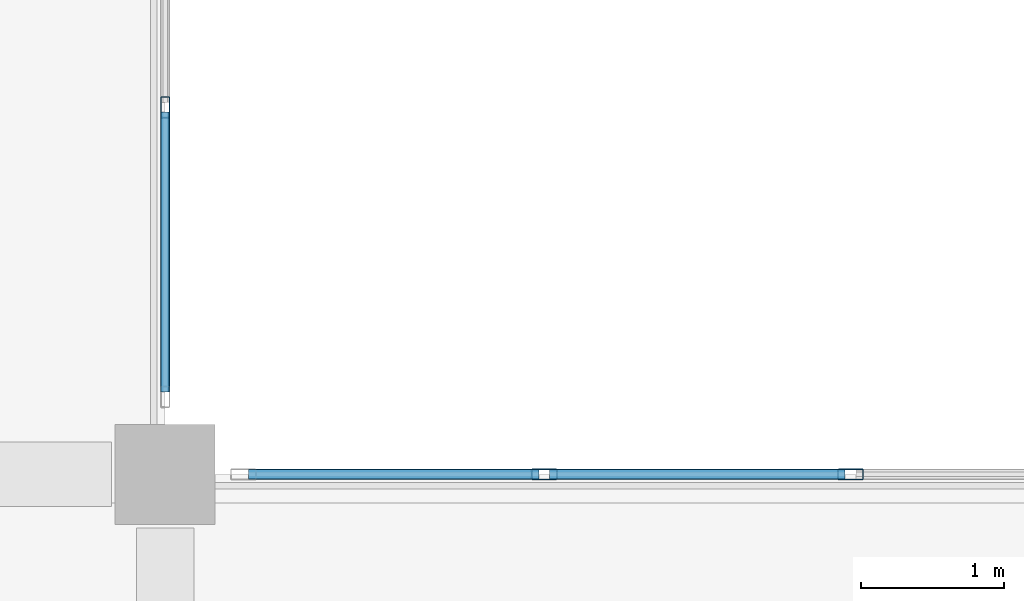
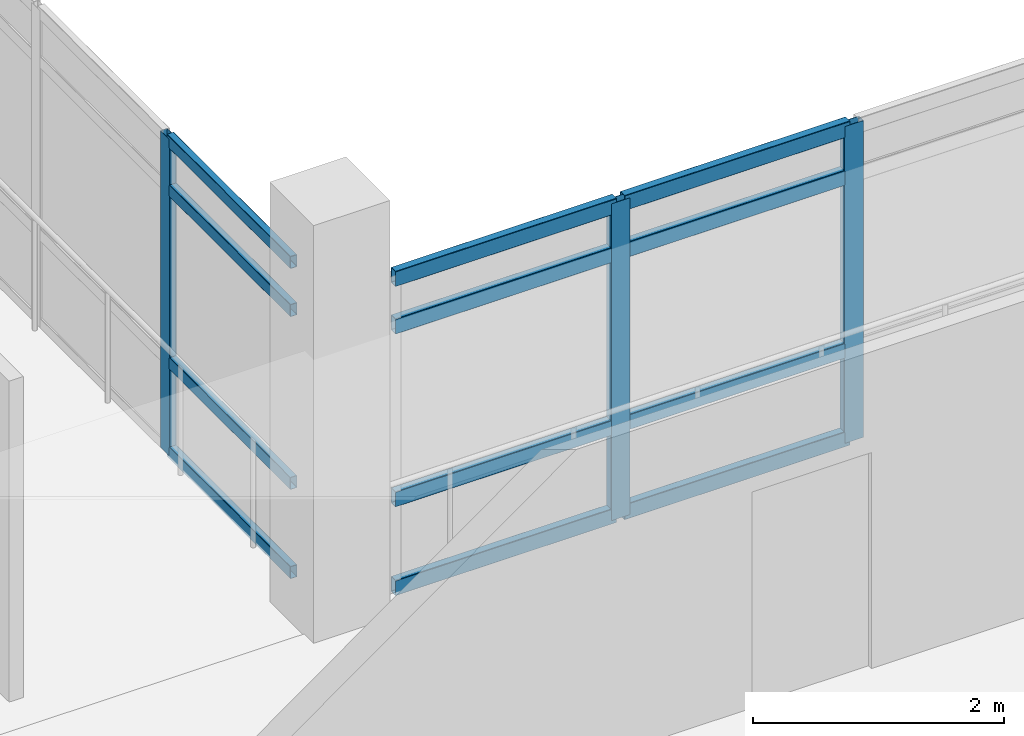
# One storey, part 37 of 134: 15 members, 2 elements without a shape of their own.
"""IFC4 building model written with IfcOpenShell, lengths in metres."""

from ifc_helpers import new_model, si_unit, direction, frame, origin, origin_2d, place, context, subcontext, project, spatial, hollow_rectangle, extrude, material, layer, layer_set, material_profile, profile_set, type_object, element, aggregate, save


model = new_model("IFC4")

# Units and contexts
model_context = context("Model", 3, precision=1e-05, world=origin(), true_north=direction((0.0, 1.0)))
body_context = subcontext(model_context, "Body", "Model", "MODEL_VIEW")
ifc_project = project(units=[si_unit("LENGTHUNIT", "METRE"), si_unit("AREAUNIT", "SQUARE_METRE"), si_unit("VOLUMEUNIT", "CUBIC_METRE"), si_unit("PLANEANGLEUNIT", "RADIAN"), si_unit("MASSUNIT", "GRAM", prefix="KILO")], contexts=[model_context])

# Site, building, storey
site_placement = place(None, origin())
site = spatial("IfcSite", under=ifc_project, at=site_placement, CompositionType="ELEMENT")
building_placement = place(site_placement, origin())
building = spatial("IfcBuilding", under=site, at=building_placement, Name="Asteropetra Specialist Clinic", CompositionType="ELEMENT")
storey_placement = place(building_placement, frame((0.0, 0.0, 8.5)))
storey = spatial("IfcBuildingStorey", under=building, at=storey_placement, Name="L02", CompositionType="ELEMENT", Elevation=8.5)

# Curtain wall, member
ifc_material_1 = material(Name="Aluminium and low-E glass", Category="aluminium")
ifc_layer_1 = layer(ifc_material_1, 0.179931640625)
ifc_layer_set_1 = layer_set([ifc_layer_1], Name="Aluminium and low-E glass")
curtain_wall_type_1 = type_object("IfcCurtainWallType", Name="CW-SYS-04", PredefinedType="USERDEFINED", material=ifc_layer_set_1)
curtain_wall_1_placement = place(storey_placement, origin())
curtain_wall_1 = element("IfcCurtainWall", 1, at=curtain_wall_1_placement, inside=storey, type_object=curtain_wall_type_1, Name="Curtain Wall CW-037", ObjectType="UNITISED CURTAIN WALL", PredefinedType="USERDEFINED")
ifc_material_2 = material(Name="Aluminium 6063-T6", Category="aluminium")
ifc_material_profile_1 = material_profile(ifc_material_2, hollow_rectangle(XDim=0.06494140625, YDim=0.14990234375, WallThickness=0.00390625, InnerFilletRadius=0.00390625, OuterFilletRadius=0.008056640625, at=origin_2d()), Name="MUL 150x65x4.0")
ifc_profile_set_1 = profile_set([ifc_material_profile_1], Name="Aluminium 6063-T6")
member_type_1 = type_object("IfcMemberType", Name="CWM-150x65", PredefinedType="MULLION", material=ifc_profile_set_1)
member_1_placement = place(storey_placement, frame((9.60009765625, 79.3701171875, 0.0), z_axis=(0.0, 0.0, 1.0), x_axis=(1.0, 0.0, 0.0)))
member_1 = element("IfcMember", 2, at=member_1_placement, type_object=member_type_1, Name="CW-037 mullion 3", PredefinedType="MULLION", context=body_context, shape_type="SweptSolid", body=[
    extrude(hollow_rectangle(XDim=0.06494140625, YDim=0.14990234375, WallThickness=0.00390625, InnerFilletRadius=0.00390625, OuterFilletRadius=0.008056640625, at=origin_2d()), origin(), (0.0, 0.0, 1.0), 3.080078125),
])

# Curtain wall, members
ifc_material_3 = material(Name="Aluminium and low-E glass", Category="aluminium")
ifc_layer_2 = layer(ifc_material_3, 0.14990234375)
ifc_layer_set_2 = layer_set([ifc_layer_2], Name="Aluminium and low-E glass")
curtain_wall_type_2 = type_object("IfcCurtainWallType", Name="CW-SYS-02", PredefinedType="USERDEFINED", material=ifc_layer_set_2)
curtain_wall_2_placement = place(storey_placement, origin())
curtain_wall_2 = element("IfcCurtainWall", 3, at=curtain_wall_2_placement, inside=storey, type_object=curtain_wall_type_2, Name="Curtain Wall CW-033", ObjectType="UNITISED CURTAIN WALL", PredefinedType="USERDEFINED")
ifc_material_4 = material(Name="Aluminium 6063-T6", Category="aluminium")
ifc_material_profile_2 = material_profile(ifc_material_4, hollow_rectangle(XDim=0.074951171875, YDim=0.179931640625, WallThickness=0.00390625, InnerFilletRadius=0.00390625, OuterFilletRadius=0.008056640625, at=origin_2d()), Name="MUL 180x75x4.0")
ifc_profile_set_2 = profile_set([ifc_material_profile_2], Name="Aluminium 6063-T6")
member_type_2 = type_object("IfcMemberType", Name="CWM-180x75", PredefinedType="MULLION", material=ifc_profile_set_2)
member_2_placement = place(storey_placement, frame((12.2548828125, 76.800048828125, 0.0), z_axis=(0.0, 0.0, 1.0), x_axis=(0.0, 1.0, 0.0)))
member_2 = element("IfcMember", 4, at=member_2_placement, type_object=member_type_2, Name="CW-033 mullion 2", PredefinedType="MULLION", context=body_context, shape_type="SweptSolid", body=[
    extrude(hollow_rectangle(XDim=0.074951171875, YDim=0.179931640625, WallThickness=0.00390625, InnerFilletRadius=0.00390625, OuterFilletRadius=0.008056640625, at=origin_2d()), origin(), (0.0, 0.0, 1.0), 3.080078125),
])
member_3_placement = place(storey_placement, frame((14.39990234375, 76.800048828125, 0.0), z_axis=(0.0, 0.0, 1.0), x_axis=(0.0, 1.0, 0.0)))
member_3 = element("IfcMember", 5, at=member_3_placement, type_object=member_type_2, Name="CW-033 mullion 3", PredefinedType="MULLION", context=body_context, shape_type="SweptSolid", body=[
    extrude(hollow_rectangle(XDim=0.074951171875, YDim=0.179931640625, WallThickness=0.00390625, InnerFilletRadius=0.00390625, OuterFilletRadius=0.008056640625, at=origin_2d()), origin(), (0.0, 0.0, 1.0), 3.080078125),
])

# Member
ifc_material_5 = material(Name="Aluminium 6063-T6", Category="aluminium")
ifc_material_profile_3 = material_profile(ifc_material_5, hollow_rectangle(XDim=0.06494140625, YDim=0.1201171875, WallThickness=0.00390625, InnerFilletRadius=0.00390625, OuterFilletRadius=0.008056640625, at=origin_2d()), Name="TRN 120x65x4.0")
ifc_profile_set_3 = profile_set([ifc_material_profile_3], Name="Aluminium 6063-T6")
member_type_3 = type_object("IfcMemberType", Name="CWT-120x65", PredefinedType="USERDEFINED", material=ifc_profile_set_3)
member_4_placement = place(storey_placement, frame((9.60009765625, 79.33740234375, 0.032470703125), z_axis=(0.0, -1.0, 0.0), x_axis=(1.0, 0.0, 0.0)))
member_4 = element("IfcMember", 6, at=member_4_placement, type_object=member_type_3, Name="CW-037 transom 3.1", ObjectType="TRANSOM", PredefinedType="USERDEFINED", context=body_context, shape_type="SweptSolid", body=[
    extrude(hollow_rectangle(XDim=0.06494140625, YDim=0.1201171875, WallThickness=0.00390625, InnerFilletRadius=0.00390625, OuterFilletRadius=0.008056640625, at=origin_2d()), origin(), (0.0, 0.0, 1.0), 1.96240234375),
])

member_5_placement = place(storey_placement, frame((9.60009765625, 79.33740234375, 0.89990234375), z_axis=(0.0, -1.0, 0.0), x_axis=(1.0, 0.0, 0.0)))
member_5 = element("IfcMember", 7, at=member_5_placement, type_object=member_type_3, Name="CW-037 transom 3.2", ObjectType="TRANSOM", PredefinedType="USERDEFINED", context=body_context, shape_type="SweptSolid", body=[
    extrude(hollow_rectangle(XDim=0.06494140625, YDim=0.1201171875, WallThickness=0.00390625, InnerFilletRadius=0.00390625, OuterFilletRadius=0.008056640625, at=origin_2d()), origin(), (0.0, 0.0, 1.0), 1.96240234375),
])

member_6_placement = place(storey_placement, frame((9.60009765625, 79.33740234375, 2.580078125), z_axis=(0.0, -1.0, 0.0), x_axis=(1.0, 0.0, 0.0)))
member_6 = element("IfcMember", 8, at=member_6_placement, type_object=member_type_3, Name="CW-037 transom 3.3", ObjectType="TRANSOM", PredefinedType="USERDEFINED", context=body_context, shape_type="SweptSolid", body=[
    extrude(hollow_rectangle(XDim=0.06494140625, YDim=0.1201171875, WallThickness=0.00390625, InnerFilletRadius=0.00390625, OuterFilletRadius=0.008056640625, at=origin_2d()), origin(), (0.0, 0.0, 1.0), 1.96240234375),
])

member_7_placement = place(storey_placement, frame((9.60009765625, 79.33740234375, 3.047607421875), z_axis=(0.0, -1.0, 0.0), x_axis=(1.0, 0.0, 0.0)))
member_7 = element("IfcMember", 9, at=member_7_placement, type_object=member_type_3, Name="CW-037 transom 3.4", ObjectType="TRANSOM", PredefinedType="USERDEFINED", context=body_context, shape_type="SweptSolid", body=[
    extrude(hollow_rectangle(XDim=0.06494140625, YDim=0.1201171875, WallThickness=0.00390625, InnerFilletRadius=0.00390625, OuterFilletRadius=0.008056640625, at=origin_2d()), origin(), (0.0, 0.0, 1.0), 1.96240234375),
])

aggregate(curtain_wall_1, [member_1, member_4, member_5, member_6, member_7])

ifc_material_6 = material(Name="Aluminium 6063-T6", Category="aluminium")
ifc_material_profile_4 = material_profile(ifc_material_6, hollow_rectangle(XDim=0.074951171875, YDim=0.14990234375, WallThickness=0.00390625, InnerFilletRadius=0.00390625, OuterFilletRadius=0.008056640625, at=origin_2d()), Name="TRN 150x75x4.0")
ifc_profile_set_4 = profile_set([ifc_material_profile_4], Name="Aluminium 6063-T6")
member_type_4 = type_object("IfcMemberType", Name="CWT-150x75", PredefinedType="USERDEFINED", material=ifc_profile_set_4)
member_8_placement = place(storey_placement, frame((10.18505859375, 76.800048828125, 0.03759765625), z_axis=(1.0, 0.0, 0.0), x_axis=(0.0, 1.0, 0.0)))
member_8 = element("IfcMember", 10, at=member_8_placement, type_object=member_type_4, Name="CW-033 transom 1.1", ObjectType="TRANSOM", PredefinedType="USERDEFINED", context=body_context, shape_type="SweptSolid", body=[
    extrude(hollow_rectangle(XDim=0.074951171875, YDim=0.14990234375, WallThickness=0.00390625, InnerFilletRadius=0.00390625, OuterFilletRadius=0.008056640625, at=origin_2d()), origin(), (0.0, 0.0, 1.0), 2.032470703125),
])

member_9_placement = place(storey_placement, frame((10.18505859375, 76.800048828125, 0.89990234375), z_axis=(1.0, 0.0, 0.0), x_axis=(0.0, 1.0, 0.0)))
member_9 = element("IfcMember", 11, at=member_9_placement, type_object=member_type_4, Name="CW-033 transom 1.2", ObjectType="TRANSOM", PredefinedType="USERDEFINED", context=body_context, shape_type="SweptSolid", body=[
    extrude(hollow_rectangle(XDim=0.074951171875, YDim=0.14990234375, WallThickness=0.00390625, InnerFilletRadius=0.00390625, OuterFilletRadius=0.008056640625, at=origin_2d()), origin(), (0.0, 0.0, 1.0), 2.032470703125),
])

member_10_placement = place(storey_placement, frame((10.18505859375, 76.800048828125, 2.580078125), z_axis=(1.0, 0.0, 0.0), x_axis=(0.0, 1.0, 0.0)))
member_10 = element("IfcMember", 12, at=member_10_placement, type_object=member_type_4, Name="CW-033 transom 1.3", ObjectType="TRANSOM", PredefinedType="USERDEFINED", context=body_context, shape_type="SweptSolid", body=[
    extrude(hollow_rectangle(XDim=0.074951171875, YDim=0.14990234375, WallThickness=0.00390625, InnerFilletRadius=0.00390625, OuterFilletRadius=0.008056640625, at=origin_2d()), origin(), (0.0, 0.0, 1.0), 2.032470703125),
])

member_11_placement = place(storey_placement, frame((10.18505859375, 76.800048828125, 3.04248046875), z_axis=(1.0, 0.0, 0.0), x_axis=(0.0, 1.0, 0.0)))
member_11 = element("IfcMember", 13, at=member_11_placement, type_object=member_type_4, Name="CW-033 transom 1.4", ObjectType="TRANSOM", PredefinedType="USERDEFINED", context=body_context, shape_type="SweptSolid", body=[
    extrude(hollow_rectangle(XDim=0.074951171875, YDim=0.14990234375, WallThickness=0.00390625, InnerFilletRadius=0.00390625, OuterFilletRadius=0.008056640625, at=origin_2d()), origin(), (0.0, 0.0, 1.0), 2.032470703125),
])

member_12_placement = place(storey_placement, frame((12.29248046875, 76.800048828125, 0.03759765625), z_axis=(1.0, 0.0, 0.0), x_axis=(0.0, 1.0, 0.0)))
member_12 = element("IfcMember", 14, at=member_12_placement, type_object=member_type_4, Name="CW-033 transom 2.1", ObjectType="TRANSOM", PredefinedType="USERDEFINED", context=body_context, shape_type="SweptSolid", body=[
    extrude(hollow_rectangle(XDim=0.074951171875, YDim=0.14990234375, WallThickness=0.00390625, InnerFilletRadius=0.00390625, OuterFilletRadius=0.008056640625, at=origin_2d()), origin(), (0.0, 0.0, 1.0), 2.070068359375),
])

member_13_placement = place(storey_placement, frame((12.29248046875, 76.800048828125, 0.89990234375), z_axis=(1.0, 0.0, 0.0), x_axis=(0.0, 1.0, 0.0)))
member_13 = element("IfcMember", 15, at=member_13_placement, type_object=member_type_4, Name="CW-033 transom 2.2", ObjectType="TRANSOM", PredefinedType="USERDEFINED", context=body_context, shape_type="SweptSolid", body=[
    extrude(hollow_rectangle(XDim=0.074951171875, YDim=0.14990234375, WallThickness=0.00390625, InnerFilletRadius=0.00390625, OuterFilletRadius=0.008056640625, at=origin_2d()), origin(), (0.0, 0.0, 1.0), 2.070068359375),
])

member_14_placement = place(storey_placement, frame((12.29248046875, 76.800048828125, 2.580078125), z_axis=(1.0, 0.0, 0.0), x_axis=(0.0, 1.0, 0.0)))
member_14 = element("IfcMember", 16, at=member_14_placement, type_object=member_type_4, Name="CW-033 transom 2.3", ObjectType="TRANSOM", PredefinedType="USERDEFINED", context=body_context, shape_type="SweptSolid", body=[
    extrude(hollow_rectangle(XDim=0.074951171875, YDim=0.14990234375, WallThickness=0.00390625, InnerFilletRadius=0.00390625, OuterFilletRadius=0.008056640625, at=origin_2d()), origin(), (0.0, 0.0, 1.0), 2.070068359375),
])

member_15_placement = place(storey_placement, frame((12.29248046875, 76.800048828125, 3.04248046875), z_axis=(1.0, 0.0, 0.0), x_axis=(0.0, 1.0, 0.0)))
member_15 = element("IfcMember", 17, at=member_15_placement, type_object=member_type_4, Name="CW-033 transom 2.4", ObjectType="TRANSOM", PredefinedType="USERDEFINED", context=body_context, shape_type="SweptSolid", body=[
    extrude(hollow_rectangle(XDim=0.074951171875, YDim=0.14990234375, WallThickness=0.00390625, InnerFilletRadius=0.00390625, OuterFilletRadius=0.008056640625, at=origin_2d()), origin(), (0.0, 0.0, 1.0), 2.070068359375),
])

aggregate(curtain_wall_2, [member_2, member_3, member_8, member_9, member_10, member_11, member_12, member_13, member_14, member_15])

save(model, "model.ifc")
